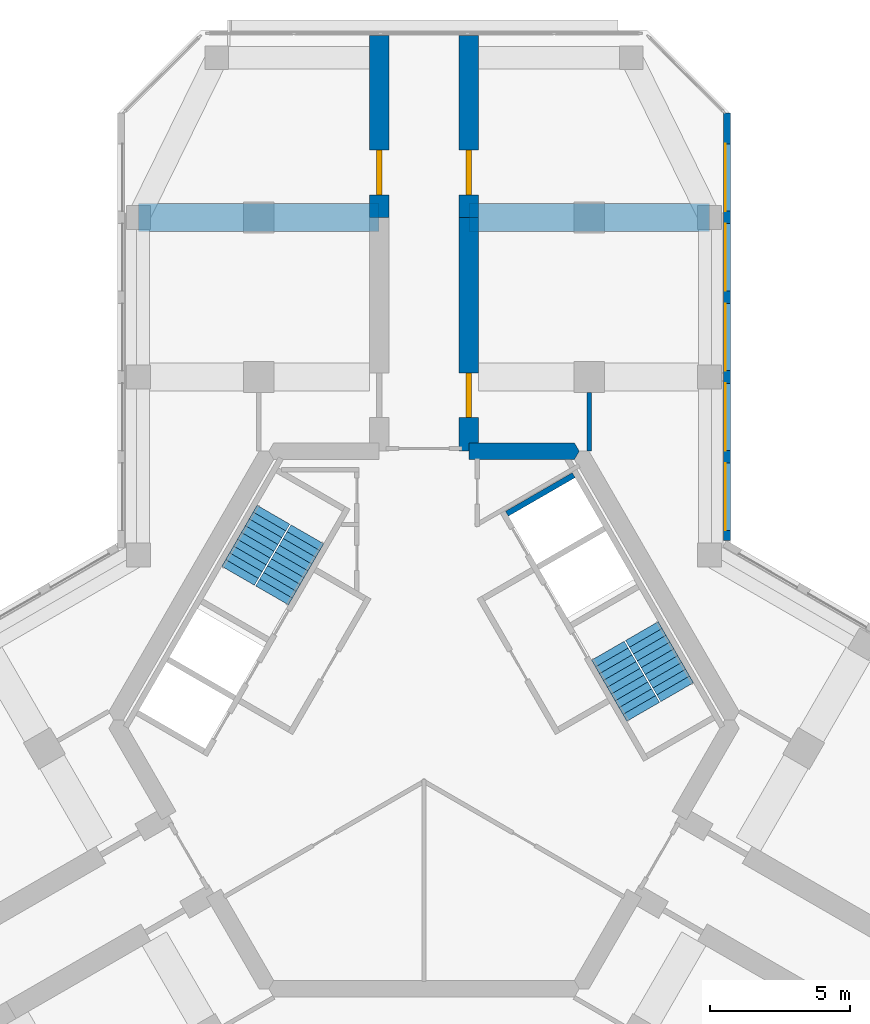
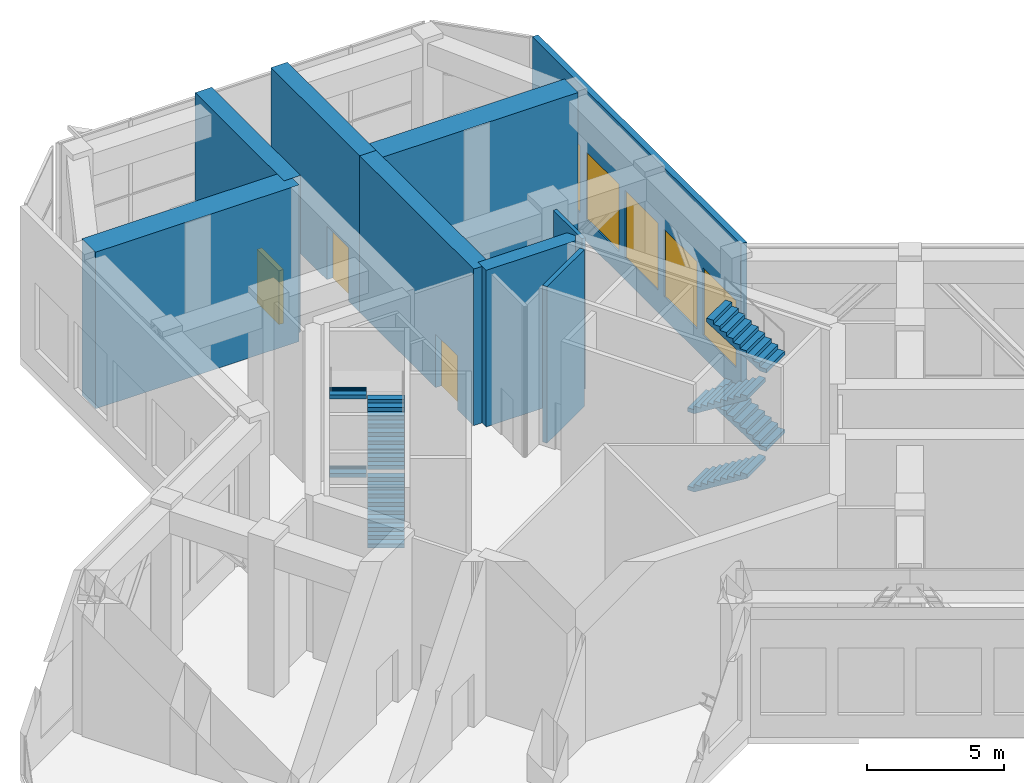
# One storey, part 11 of 12: 9 walls, 8 stair flights, 5 windows, 3 doors, 8 openings, 2 elements without a shape of their own.
"""IFC4 building model written with IfcOpenShell, lengths in metres."""

from ifc_helpers import new_model, si_unit, direction, frame, frame_2d, origin, place, context, subcontext, project, spatial, polyline, rectangle, outline, extrude, material, layer, layer_set, type_object, element, fill, aggregate, save


model = new_model("IFC4")

# Units and contexts
model_context = context("Model", 3, precision=1e-05, world=origin(), true_north=direction((0.0, 1.0)))
body_context = subcontext(model_context, "Body", "Model", "MODEL_VIEW")
ifc_project = project(units=[si_unit("LENGTHUNIT", "METRE"), si_unit("AREAUNIT", "SQUARE_METRE"), si_unit("VOLUMEUNIT", "CUBIC_METRE"), si_unit("PLANEANGLEUNIT", "RADIAN"), si_unit("MASSUNIT", "GRAM", prefix="KILO")], contexts=[model_context])

# Site, building, storey
site_placement = place(None, origin())
site = spatial("IfcSite", under=ifc_project, at=site_placement, CompositionType="ELEMENT")
building_placement = place(site_placement, origin())
building = spatial("IfcBuilding", under=site, at=building_placement, Name="Kosmar Iwan School Tower", CompositionType="ELEMENT")
storey_placement = place(building_placement, frame((0.0, 0.0, 260.39990234375)))
storey = spatial("IfcBuildingStorey", under=building, at=storey_placement, Name="L66", CompositionType="ELEMENT", Elevation=260.39990234375)

# Wall
ifc_material_1 = material(Name="Concrete C50/60", Category="concrete")
ifc_layer_1 = layer(ifc_material_1, 0.60009765625)
ifc_layer_set_1 = layer_set([ifc_layer_1], Name="Core wall 600")
wall_type_1 = type_object("IfcWallType", Name="Core wall 600", PredefinedType="SHEAR", material=ifc_layer_set_1)
wall_1_placement = place(storey_placement, origin())
element("IfcWall", 1, at=wall_1_placement, inside=storey, type_object=wall_type_1, Name="Core wall F090a", PredefinedType="SHEAR", context=body_context, shape_type="SweptSolid", body=[
    extrude(outline(polyline([(1.60009765625, 9.300048828125), (5.369384765625, 9.300048828125), (5.54248046875, 9.60009765625), (5.369384765625, 9.89990234375), (1.60009765625, 9.89990234375), (1.60009765625, 9.300048828125)])), origin(), (0.0, 0.0, 1.0), 7.0),
])

# Wall, opening, door
ifc_material_2 = material(Name="Concrete C50/60", Category="concrete")
ifc_layer_2 = layer(ifc_material_2, 0.699951171875)
ifc_layer_set_2 = layer_set([ifc_layer_2], Name="Corridor buttress wall 700")
wall_type_2 = type_object("IfcWallType", Name="Corridor buttress wall 700", PredefinedType="SHEAR", material=ifc_layer_set_2)
wall_2_placement = place(storey_placement, frame((-1.60009765625, 17.949951171875, 0.0), z_axis=(0.0, 0.0, 1.0), x_axis=(0.0, 1.0, 0.0)))
wall_2 = element("IfcWall", 2, at=wall_2_placement, inside=storey, type_object=wall_type_2, Name="Corridor wall AL bay 2", PredefinedType="SHEAR", context=body_context, shape_type="SweptSolid", body=[
    extrude(rectangle(XDim=6.4951171875, YDim=0.699951171875, at=frame_2d((3.24755859375, 0.0))), origin(), (0.0, 0.0, 1.0), 7.0),
])
opening_1_placement = place(wall_2_placement, frame((0.800048828125, 0.0, 0.0)))
opening_1 = element("IfcOpeningElement", 3, at=opening_1_placement, cuts=wall_2, Name="Opening D5", PredefinedType="OPENING", context=body_context, shape_type="SweptSolid", body=[
    extrude(rectangle(XDim=1.60009765625, YDim=2.39990234375, at=frame_2d((0.800048828125, 1.199951171875))), frame((0.0, 0.362060546875, 0.0), z_axis=(0.0, -1.0, 0.0), x_axis=(1.0, 0.0, 0.0)), (0.0, 0.0, 1.0), 0.723876953125),
])
ifc_material_3 = material(Name="Steel fire door", Category="steel")
door_type = type_object("IfcDoorType", Name="Plant room door pair 1600x2400", OperationType="DOUBLE_DOOR_SINGLE_SWING", PredefinedType="DOOR", material=ifc_material_3)
door_1_placement = place(opening_1_placement, origin())
door_1 = element("IfcDoor", 4, at=door_1_placement, inside=storey, type_object=door_type, Name="Lift machine room door L66-AL2", OperationType="DOUBLE_DOOR_SINGLE_SWING", OverallHeight=2.39990234375, OverallWidth=1.60009765625, PredefinedType="DOOR", context=body_context, shape_type="SweptSolid", body=[
    extrude(rectangle(XDim=1.60009765625, YDim=2.39990234375, at=frame_2d((0.800048828125, 1.199951171875))), frame((0.0, 0.10009765625, 0.0), z_axis=(0.0, -1.0, 0.0), x_axis=(1.0, 0.0, 0.0)), (0.0, 0.0, 1.0), 0.199951171875),
])
fill(opening_1, door_1)

wall_3_placement = place(storey_placement, frame((1.60009765625, 9.60009765625, 0.0), z_axis=(0.0, 0.0, 1.0), x_axis=(0.0, 1.0, 0.0)))
wall_3 = element("IfcWall", 5, at=wall_3_placement, inside=storey, type_object=wall_type_2, Name="Corridor wall AR", PredefinedType="SHEAR", context=body_context, shape_type="SweptSolid", body=[
    extrude(rectangle(XDim=8.349853515625, YDim=0.699951171875, at=frame_2d((4.1748046875, 0.0))), origin(), (0.0, 0.0, 1.0), 7.0),
])
opening_2_placement = place(wall_3_placement, frame((1.199951171875, 0.0, 0.0)))
opening_2 = element("IfcOpeningElement", 6, at=opening_2_placement, cuts=wall_3, Name="Opening D5", PredefinedType="OPENING", context=body_context, shape_type="SweptSolid", body=[
    extrude(rectangle(XDim=1.60009765625, YDim=2.39990234375, at=frame_2d((0.800048828125, 1.199951171875))), frame((0.0, 0.362060546875, 0.0), z_axis=(0.0, -1.0, 0.0), x_axis=(1.0, 0.0, 0.0)), (0.0, 0.0, 1.0), 0.723876953125),
])
door_2_placement = place(opening_2_placement, origin())
door_2 = element("IfcDoor", 7, at=door_2_placement, inside=storey, type_object=door_type, Name="Refuge area door L66-AR1", OperationType="DOUBLE_DOOR_SINGLE_SWING", OverallHeight=2.39990234375, OverallWidth=1.60009765625, PredefinedType="DOOR", context=body_context, shape_type="SweptSolid", body=[
    extrude(rectangle(XDim=1.60009765625, YDim=2.39990234375, at=frame_2d((0.800048828125, 1.199951171875))), frame((0.0, 0.10009765625, 0.0), z_axis=(0.0, -1.0, 0.0), x_axis=(1.0, 0.0, 0.0)), (0.0, 0.0, 1.0), 0.199951171875),
])
fill(opening_2, door_2)

wall_4_placement = place(storey_placement, frame((1.60009765625, 17.949951171875, 0.0), z_axis=(0.0, 0.0, 1.0), x_axis=(0.0, 1.0, 0.0)))
wall_4 = element("IfcWall", 8, at=wall_4_placement, inside=storey, type_object=wall_type_2, Name="Corridor wall AR bay 2", PredefinedType="SHEAR", context=body_context, shape_type="SweptSolid", body=[
    extrude(rectangle(XDim=6.4951171875, YDim=0.699951171875, at=frame_2d((3.24755859375, 0.0))), origin(), (0.0, 0.0, 1.0), 7.0),
])
opening_3_placement = place(wall_4_placement, frame((0.800048828125, 0.0, 0.0)))
opening_3 = element("IfcOpeningElement", 9, at=opening_3_placement, cuts=wall_4, Name="Opening D5", PredefinedType="OPENING", context=body_context, shape_type="SweptSolid", body=[
    extrude(rectangle(XDim=1.60009765625, YDim=2.39990234375, at=frame_2d((0.800048828125, 1.199951171875))), frame((0.0, 0.362060546875, 0.0), z_axis=(0.0, -1.0, 0.0), x_axis=(1.0, 0.0, 0.0)), (0.0, 0.0, 1.0), 0.723876953125),
])
door_3_placement = place(opening_3_placement, origin())
door_3 = element("IfcDoor", 10, at=door_3_placement, inside=storey, type_object=door_type, Name="Lift machine room door L66-AR2", OperationType="DOUBLE_DOOR_SINGLE_SWING", OverallHeight=2.39990234375, OverallWidth=1.60009765625, PredefinedType="DOOR", context=body_context, shape_type="SweptSolid", body=[
    extrude(rectangle(XDim=1.60009765625, YDim=2.39990234375, at=frame_2d((0.800048828125, 1.199951171875))), frame((0.0, 0.10009765625, 0.0), z_axis=(0.0, -1.0, 0.0), x_axis=(1.0, 0.0, 0.0)), (0.0, 0.0, 1.0), 0.199951171875),
])
fill(opening_3, door_3)

# Wall, openings, windows
ifc_material_4 = material(Name="Black aluminium rainscreen on insulated framing", Category="aluminium")
ifc_layer_3 = layer(ifc_material_4, 0.25)
ifc_layer_set_3 = layer_set([ifc_layer_3], Name="External wall rainscreen 250")
wall_type_3 = type_object("IfcWallType", Name="External wall rainscreen 250", PredefinedType="SOLIDWALL", material=ifc_layer_set_3)
wall_5_placement = place(storey_placement, frame((10.824951171875, 6.408935546875, 0.0), z_axis=(0.0, 0.0, 1.0), x_axis=(0.0, 1.0, 0.0)))
wall_5 = element("IfcWall", 11, at=wall_5_placement, inside=storey, type_object=wall_type_3, Name="External wall AR L66", PredefinedType="SOLIDWALL", context=body_context, shape_type="SweptSolid", body=[
    extrude(rectangle(XDim=15.2763671875, YDim=0.25, at=frame_2d((7.63818359375, 0.0))), origin(), (0.0, 0.0, 1.0), 6.75),
])
opening_4_placement = place(wall_5_placement, frame((0.365966796875, 0.0, 1.0)))
opening_4 = element("IfcOpeningElement", 12, at=opening_4_placement, cuts=wall_5, Name="Opening LV1", PredefinedType="OPENING", context=body_context, shape_type="SweptSolid", body=[
    extrude(rectangle(XDim=2.39990234375, YDim=3.0, at=frame_2d((1.199951171875, 1.5))), frame((0.0, 0.136962890625, 0.0), z_axis=(0.0, -1.0, 0.0), x_axis=(1.0, 0.0, 0.0)), (0.0, 0.0, 1.0), 0.27392578125),
])
opening_5_placement = place(wall_5_placement, frame((3.216064453125, 0.0, 1.0)))
opening_5 = element("IfcOpeningElement", 13, at=opening_5_placement, cuts=wall_5, Name="Opening LV1", PredefinedType="OPENING", context=body_context, shape_type="SweptSolid", body=[
    extrude(rectangle(XDim=2.39990234375, YDim=3.0, at=frame_2d((1.199951171875, 1.5))), frame((0.0, 0.136962890625, 0.0), z_axis=(0.0, -1.0, 0.0), x_axis=(1.0, 0.0, 0.0)), (0.0, 0.0, 1.0), 0.27392578125),
])
opening_6_placement = place(wall_5_placement, frame((6.06591796875, 0.0, 1.0)))
opening_6 = element("IfcOpeningElement", 14, at=opening_6_placement, cuts=wall_5, Name="Opening LV1", PredefinedType="OPENING", context=body_context, shape_type="SweptSolid", body=[
    extrude(rectangle(XDim=2.39990234375, YDim=3.0, at=frame_2d((1.199951171875, 1.5))), frame((0.0, 0.136962890625, 0.0), z_axis=(0.0, -1.0, 0.0), x_axis=(1.0, 0.0, 0.0)), (0.0, 0.0, 1.0), 0.27392578125),
])
opening_7_placement = place(wall_5_placement, frame((8.916015625, 0.0, 1.0)))
opening_7 = element("IfcOpeningElement", 15, at=opening_7_placement, cuts=wall_5, Name="Opening LV1", PredefinedType="OPENING", context=body_context, shape_type="SweptSolid", body=[
    extrude(rectangle(XDim=2.39990234375, YDim=3.0, at=frame_2d((1.199951171875, 1.5))), frame((0.0, 0.136962890625, 0.0), z_axis=(0.0, -1.0, 0.0), x_axis=(1.0, 0.0, 0.0)), (0.0, 0.0, 1.0), 0.27392578125),
])
opening_8_placement = place(wall_5_placement, frame((11.76611328125, 0.0, 1.0)))
opening_8 = element("IfcOpeningElement", 16, at=opening_8_placement, cuts=wall_5, Name="Opening LV1", PredefinedType="OPENING", context=body_context, shape_type="SweptSolid", body=[
    extrude(rectangle(XDim=2.39990234375, YDim=3.0, at=frame_2d((1.199951171875, 1.5))), frame((0.0, 0.136962890625, 0.0), z_axis=(0.0, -1.0, 0.0), x_axis=(1.0, 0.0, 0.0)), (0.0, 0.0, 1.0), 0.27392578125),
])
ifc_material_5 = material(Name="Black aluminium louvre", Category="aluminium")
window_type = type_object("IfcWindowType", Name="Plant louvre 2400x3000", PartitioningType="SINGLE_PANEL", PredefinedType="USERDEFINED", material=ifc_material_5)
window_1_placement = place(opening_4_placement, origin())
window_1 = element("IfcWindow", 17, at=window_1_placement, inside=storey, type_object=window_type, Name="Window AR L66 -1", ObjectType="LOUVRE", OverallHeight=3.0, OverallWidth=2.39990234375, PartitioningType="SINGLE_PANEL", PredefinedType="USERDEFINED", context=body_context, shape_type="SweptSolid", body=[
    extrude(rectangle(XDim=2.39990234375, YDim=3.0, at=frame_2d((1.199951171875, 1.5))), frame((0.0, 0.070068359375, 0.0), z_axis=(0.0, -1.0, 0.0), x_axis=(1.0, 0.0, 0.0)), (0.0, 0.0, 1.0), 0.02001953125),
])
fill(opening_4, window_1)
window_2_placement = place(opening_5_placement, origin())
window_2 = element("IfcWindow", 18, at=window_2_placement, inside=storey, type_object=window_type, Name="Window AR L66 0", ObjectType="LOUVRE", OverallHeight=3.0, OverallWidth=2.39990234375, PartitioningType="SINGLE_PANEL", PredefinedType="USERDEFINED", context=body_context, shape_type="SweptSolid", body=[
    extrude(rectangle(XDim=2.39990234375, YDim=3.0, at=frame_2d((1.199951171875, 1.5))), frame((0.0, 0.070068359375, 0.0), z_axis=(0.0, -1.0, 0.0), x_axis=(1.0, 0.0, 0.0)), (0.0, 0.0, 1.0), 0.02001953125),
])
fill(opening_5, window_2)
window_3_placement = place(opening_6_placement, origin())
window_3 = element("IfcWindow", 19, at=window_3_placement, inside=storey, type_object=window_type, Name="Window AR L66 1", ObjectType="LOUVRE", OverallHeight=3.0, OverallWidth=2.39990234375, PartitioningType="SINGLE_PANEL", PredefinedType="USERDEFINED", context=body_context, shape_type="SweptSolid", body=[
    extrude(rectangle(XDim=2.39990234375, YDim=3.0, at=frame_2d((1.199951171875, 1.5))), frame((0.0, 0.070068359375, 0.0), z_axis=(0.0, -1.0, 0.0), x_axis=(1.0, 0.0, 0.0)), (0.0, 0.0, 1.0), 0.02001953125),
])
fill(opening_6, window_3)
window_4_placement = place(opening_7_placement, origin())
window_4 = element("IfcWindow", 20, at=window_4_placement, inside=storey, type_object=window_type, Name="Window AR L66 2", ObjectType="LOUVRE", OverallHeight=3.0, OverallWidth=2.39990234375, PartitioningType="SINGLE_PANEL", PredefinedType="USERDEFINED", context=body_context, shape_type="SweptSolid", body=[
    extrude(rectangle(XDim=2.39990234375, YDim=3.0, at=frame_2d((1.199951171875, 1.5))), frame((0.0, 0.070068359375, 0.0), z_axis=(0.0, -1.0, 0.0), x_axis=(1.0, 0.0, 0.0)), (0.0, 0.0, 1.0), 0.02001953125),
])
fill(opening_7, window_4)
window_5_placement = place(opening_8_placement, origin())
window_5 = element("IfcWindow", 21, at=window_5_placement, inside=storey, type_object=window_type, Name="Window AR L66 3", ObjectType="LOUVRE", OverallHeight=3.0, OverallWidth=2.39990234375, PartitioningType="SINGLE_PANEL", PredefinedType="USERDEFINED", context=body_context, shape_type="SweptSolid", body=[
    extrude(rectangle(XDim=2.39990234375, YDim=3.0, at=frame_2d((1.199951171875, 1.5))), frame((0.0, 0.070068359375, 0.0), z_axis=(0.0, -1.0, 0.0), x_axis=(1.0, 0.0, 0.0)), (0.0, 0.0, 1.0), 0.02001953125),
])
fill(opening_8, window_5)

# Walls
ifc_material_6 = material(Name="Concrete C50/60", Category="concrete")
ifc_layer_4 = layer(ifc_material_6, 0.199951171875)
ifc_layer_set_4 = layer_set([ifc_layer_4], Name="Lift shaft wall 200")
wall_type_4 = type_object("IfcWallType", Name="Lift shaft wall 200", PredefinedType="SHEAR", material=ifc_layer_set_4)
wall_6_placement = place(storey_placement, frame((2.962646484375, 7.368408203125, 0.0), z_axis=(0.0, 0.0, 1.0), x_axis=(0.866027397988, 0.499996545922, 0.0)))
element("IfcWall", 22, at=wall_6_placement, inside=storey, type_object=wall_type_4, Name="Lift shaft wall AC 2", PredefinedType="SHEAR", context=body_context, shape_type="SweptSolid", body=[
    extrude(rectangle(XDim=2.75, YDim=0.199951171875, at=frame_2d((1.375, 0.0))), origin(), (0.0, 0.0, 1.0), 7.0),
])
ifc_material_7 = material(Name="Concrete C50/60", Category="concrete")
ifc_layer_5 = layer(ifc_material_7, 1.0)
ifc_layer_set_5 = layer_set([ifc_layer_5], Name="Outrigger wall 1000")
wall_type_5 = type_object("IfcWallType", Name="Outrigger wall 1000", PredefinedType="SHEAR", material=ifc_layer_set_5)
for number, where, z_axis, x_axis, name in (
    (23, (-1.60009765625, 17.949951171875, 0.0), (0.0, 0.0, 1.0), (-1.0, 0.0, 0.0), "Outrigger wall AL"),
    (24, (1.60009765625, 17.949951171875, 0.0), (0.0, 0.0, 1.0), (1.0, 0.0, 0.0), "Outrigger wall AR"),
):
    element("IfcWall", number, at=place(storey_placement, frame(where, z_axis=z_axis, x_axis=x_axis)), inside=storey, type_object=wall_type_5, Name=name, PredefinedType="SHEAR", context=body_context, shape_type="SweptSolid", body=[
        extrude(rectangle(XDim=8.599853515625, YDim=1.0, at=frame_2d((4.2998046875, 0.0))), origin(), (0.0, 0.0, 1.0), 7.0),
    ])
ifc_material_8 = material(Name="Gypsum board on steel studs", Category="steel")
ifc_layer_6 = layer(ifc_material_8, 0.14990234375)
ifc_layer_set_6 = layer_set([ifc_layer_6], Name="School partition 150")
wall_type_6 = type_object("IfcWallType", Name="School partition 150", PredefinedType="PARTITIONING", material=ifc_layer_set_6)
wall_7_placement = place(storey_placement, frame((5.89990234375, 9.60009765625, 0.0), z_axis=(0.0, 0.0, 1.0), x_axis=(0.0, 1.0, 0.0)))
element("IfcWall", 25, at=wall_7_placement, inside=storey, type_object=wall_type_6, Name="Partition L66-AR-NB", PredefinedType="PARTITIONING", context=body_context, shape_type="SweptSolid", body=[
    extrude(rectangle(XDim=2.099853515625, YDim=0.14990234375, at=frame_2d((1.0498046875, 0.0))), origin(), (0.0, 0.0, 1.0), 6.75),
])

# Stair, stair flights
ifc_material_9 = material(Name="Concrete C35/45", Category="concrete")
stair_type = type_object("IfcStairType", Name="Core stair 2750", PredefinedType="HALF_TURN_STAIR", material=ifc_material_9)
stair_1_placement = place(storey_placement, origin())
stair_1 = element("IfcStair", 26, at=stair_1_placement, inside=storey, type_object=stair_type, Name="Stair ST2 L66", PredefinedType="HALF_TURN_STAIR")
ifc_material_10 = material(Name="Concrete C35/45", Category="concrete")
stair_flight_type = type_object("IfcStairFlightType", Name="Stair flight 1350", PredefinedType="STRAIGHT", material=ifc_material_10)
stair_flight_1_placement = place(storey_placement, frame((-5.42724609375, 4.44970703125, 0.0), z_axis=(0.0, 0.0, 1.0), x_axis=(0.5, 0.866025403784, 0.0)))
stair_flight_1 = element("IfcStairFlight", 27, at=stair_flight_1_placement, type_object=stair_flight_type, Name="ST2 flight 1", NumberOfRisers=10, NumberOfTreads=9, PredefinedType="STRAIGHT", RiserHeight=0.175, TreadLength=0.28, context=body_context, shape_type="SweptSolid", body=[
    extrude(outline(polyline([(0.0, 0.0), (0.0, 0.175048828125), (0.280029296875, 0.175048828125), (0.280029296875, 0.35009765625), (0.56005859375, 0.35009765625), (0.56005859375, 0.52490234375), (0.840087890625, 0.52490234375), (0.840087890625, 0.699951171875), (1.1201171875, 0.699951171875), (1.1201171875, 0.875), (1.39990234375, 0.875), (1.39990234375, 1.050048828125), (1.679931640625, 1.050048828125), (1.679931640625, 1.22509765625), (1.9599609375, 1.22509765625), (1.9599609375, 1.39990234375), (2.239990234375, 1.39990234375), (2.239990234375, 1.574951171875), (2.52001953125, 1.574951171875), (2.52001953125, 1.75), (2.52001953125, 1.398193359375), (0.28271484375, 0.0), (0.0, 0.0)])), frame((0.0, 0.675048828125, 0.0), z_axis=(0.0, -1.0, 0.0), x_axis=(1.0, 0.0, 0.0)), (0.0, 0.0, 1.0), 1.35009765625),
])
stair_flight_2_placement = place(storey_placement, frame((-5.379638671875, 7.33203125, 1.75), z_axis=(0.0, 0.0, 1.0), x_axis=(-0.5, -0.866025403784, 0.0)))
stair_flight_2 = element("IfcStairFlight", 28, at=stair_flight_2_placement, type_object=stair_flight_type, Name="ST2 flight 2", NumberOfRisers=10, NumberOfTreads=9, PredefinedType="STRAIGHT", RiserHeight=0.175, TreadLength=0.28, context=body_context, shape_type="SweptSolid", body=[
    extrude(outline(polyline([(0.0, 0.0), (0.0, 0.175048828125), (0.280029296875, 0.175048828125), (0.280029296875, 0.35009765625), (0.56005859375, 0.35009765625), (0.56005859375, 0.52490234375), (0.840087890625, 0.52490234375), (0.840087890625, 0.699951171875), (1.1201171875, 0.699951171875), (1.1201171875, 0.875), (1.39990234375, 0.875), (1.39990234375, 1.050048828125), (1.679931640625, 1.050048828125), (1.679931640625, 1.22509765625), (1.9599609375, 1.22509765625), (1.9599609375, 1.39990234375), (2.239990234375, 1.39990234375), (2.239990234375, 1.574951171875), (2.52001953125, 1.574951171875), (2.52001953125, 1.75), (2.52001953125, 1.398193359375), (0.28271484375, 0.0), (0.0, 0.0)])), frame((0.0, 0.675048828125, 0.0), z_axis=(0.0, -1.0, 0.0), x_axis=(1.0, 0.0, 0.0)), (0.0, 0.0, 1.0), 1.35009765625),
])
stair_flight_3_placement = place(storey_placement, frame((-5.42724609375, 4.44970703125, 3.5), z_axis=(0.0, 0.0, 1.0), x_axis=(0.5, 0.866025403784, 0.0)))
stair_flight_3 = element("IfcStairFlight", 29, at=stair_flight_3_placement, type_object=stair_flight_type, Name="ST2 flight 3", NumberOfRisers=10, NumberOfTreads=9, PredefinedType="STRAIGHT", RiserHeight=0.175, TreadLength=0.28, context=body_context, shape_type="SweptSolid", body=[
    extrude(outline(polyline([(0.0, 0.0), (0.0, 0.175048828125), (0.280029296875, 0.175048828125), (0.280029296875, 0.35009765625), (0.56005859375, 0.35009765625), (0.56005859375, 0.52490234375), (0.840087890625, 0.52490234375), (0.840087890625, 0.699951171875), (1.1201171875, 0.699951171875), (1.1201171875, 0.875), (1.39990234375, 0.875), (1.39990234375, 1.050048828125), (1.679931640625, 1.050048828125), (1.679931640625, 1.22509765625), (1.9599609375, 1.22509765625), (1.9599609375, 1.39990234375), (2.239990234375, 1.39990234375), (2.239990234375, 1.574951171875), (2.52001953125, 1.574951171875), (2.52001953125, 1.75), (2.52001953125, 1.398193359375), (0.28271484375, 0.0), (0.0, 0.0)])), frame((0.0, 0.675048828125, 0.0), z_axis=(0.0, -1.0, 0.0), x_axis=(1.0, 0.0, 0.0)), (0.0, 0.0, 1.0), 1.35009765625),
])
stair_flight_4_placement = place(storey_placement, frame((-5.379638671875, 7.33203125, 5.25), z_axis=(0.0, 0.0, 1.0), x_axis=(-0.5, -0.866025403784, 0.0)))
stair_flight_4 = element("IfcStairFlight", 30, at=stair_flight_4_placement, type_object=stair_flight_type, Name="ST2 flight 4", NumberOfRisers=10, NumberOfTreads=9, PredefinedType="STRAIGHT", RiserHeight=0.175, TreadLength=0.28, context=body_context, shape_type="SweptSolid", body=[
    extrude(outline(polyline([(0.0, 0.0), (0.0, 0.175048828125), (0.280029296875, 0.175048828125), (0.280029296875, 0.35009765625), (0.56005859375, 0.35009765625), (0.56005859375, 0.52490234375), (0.840087890625, 0.52490234375), (0.840087890625, 0.699951171875), (1.1201171875, 0.699951171875), (1.1201171875, 0.875), (1.39990234375, 0.875), (1.39990234375, 1.050048828125), (1.679931640625, 1.050048828125), (1.679931640625, 1.22509765625), (1.9599609375, 1.22509765625), (1.9599609375, 1.39990234375), (2.239990234375, 1.39990234375), (2.239990234375, 1.574951171875), (2.52001953125, 1.574951171875), (2.52001953125, 1.75), (2.52001953125, 1.398193359375), (0.28271484375, 0.0), (0.0, 0.0)])), frame((0.0, 0.675048828125, 0.0), z_axis=(0.0, -1.0, 0.0), x_axis=(1.0, 0.0, 0.0)), (0.0, 0.0, 1.0), 1.35009765625),
])
aggregate(stair_1, [stair_flight_1, stair_flight_2, stair_flight_3, stair_flight_4])

stair_2_placement = place(storey_placement, origin())
stair_2 = element("IfcStair", 31, at=stair_2_placement, inside=storey, type_object=stair_type, Name="Stair ST1 L66", PredefinedType="HALF_TURN_STAIR")
stair_flight_5_placement = place(storey_placement, frame((6.567138671875, 2.475341796875, 0.0), z_axis=(0.0, 0.0, 1.0), x_axis=(0.5, -0.866025403784, 0.0)))
stair_flight_5 = element("IfcStairFlight", 32, at=stair_flight_5_placement, type_object=stair_flight_type, Name="ST1 flight 1", NumberOfRisers=10, NumberOfTreads=9, PredefinedType="STRAIGHT", RiserHeight=0.175, TreadLength=0.28, context=body_context, shape_type="SweptSolid", body=[
    extrude(outline(polyline([(0.0, 0.0), (0.0, 0.175048828125), (0.280029296875, 0.175048828125), (0.280029296875, 0.35009765625), (0.56005859375, 0.35009765625), (0.56005859375, 0.52490234375), (0.840087890625, 0.52490234375), (0.840087890625, 0.699951171875), (1.1201171875, 0.699951171875), (1.1201171875, 0.875), (1.39990234375, 0.875), (1.39990234375, 1.050048828125), (1.679931640625, 1.050048828125), (1.679931640625, 1.22509765625), (1.9599609375, 1.22509765625), (1.9599609375, 1.39990234375), (2.239990234375, 1.39990234375), (2.239990234375, 1.574951171875), (2.52001953125, 1.574951171875), (2.52001953125, 1.75), (2.52001953125, 1.398193359375), (0.28271484375, 0.0), (0.0, 0.0)])), frame((0.0, 0.675048828125, 0.0), z_axis=(0.0, -1.0, 0.0), x_axis=(1.0, 0.0, 0.0)), (0.0, 0.0, 1.0), 1.35009765625),
])
stair_flight_6_placement = place(storey_placement, frame((9.03955078125, 0.992919921875, 1.75), z_axis=(0.0, 0.0, 1.0), x_axis=(-0.5, 0.866025403784, 0.0)))
stair_flight_6 = element("IfcStairFlight", 33, at=stair_flight_6_placement, type_object=stair_flight_type, Name="ST1 flight 2", NumberOfRisers=10, NumberOfTreads=9, PredefinedType="STRAIGHT", RiserHeight=0.175, TreadLength=0.28, context=body_context, shape_type="SweptSolid", body=[
    extrude(outline(polyline([(0.0, 0.0), (0.0, 0.175048828125), (0.280029296875, 0.175048828125), (0.280029296875, 0.35009765625), (0.56005859375, 0.35009765625), (0.56005859375, 0.52490234375), (0.840087890625, 0.52490234375), (0.840087890625, 0.699951171875), (1.1201171875, 0.699951171875), (1.1201171875, 0.875), (1.39990234375, 0.875), (1.39990234375, 1.050048828125), (1.679931640625, 1.050048828125), (1.679931640625, 1.22509765625), (1.9599609375, 1.22509765625), (1.9599609375, 1.39990234375), (2.239990234375, 1.39990234375), (2.239990234375, 1.574951171875), (2.52001953125, 1.574951171875), (2.52001953125, 1.75), (2.52001953125, 1.398193359375), (0.28271484375, 0.0), (0.0, 0.0)])), frame((0.0, 0.675048828125, 0.0), z_axis=(0.0, -1.0, 0.0), x_axis=(1.0, 0.0, 0.0)), (0.0, 0.0, 1.0), 1.35009765625),
])
stair_flight_7_placement = place(storey_placement, frame((6.567138671875, 2.475341796875, 3.5), z_axis=(0.0, 0.0, 1.0), x_axis=(0.5, -0.866025403784, 0.0)))
stair_flight_7 = element("IfcStairFlight", 34, at=stair_flight_7_placement, type_object=stair_flight_type, Name="ST1 flight 3", NumberOfRisers=10, NumberOfTreads=9, PredefinedType="STRAIGHT", RiserHeight=0.175, TreadLength=0.28, context=body_context, shape_type="SweptSolid", body=[
    extrude(outline(polyline([(0.0, 0.0), (0.0, 0.175048828125), (0.280029296875, 0.175048828125), (0.280029296875, 0.35009765625), (0.56005859375, 0.35009765625), (0.56005859375, 0.52490234375), (0.840087890625, 0.52490234375), (0.840087890625, 0.699951171875), (1.1201171875, 0.699951171875), (1.1201171875, 0.875), (1.39990234375, 0.875), (1.39990234375, 1.050048828125), (1.679931640625, 1.050048828125), (1.679931640625, 1.22509765625), (1.9599609375, 1.22509765625), (1.9599609375, 1.39990234375), (2.239990234375, 1.39990234375), (2.239990234375, 1.574951171875), (2.52001953125, 1.574951171875), (2.52001953125, 1.75), (2.52001953125, 1.398193359375), (0.28271484375, 0.0), (0.0, 0.0)])), frame((0.0, 0.675048828125, 0.0), z_axis=(0.0, -1.0, 0.0), x_axis=(1.0, 0.0, 0.0)), (0.0, 0.0, 1.0), 1.35009765625),
])
stair_flight_8_placement = place(storey_placement, frame((9.03955078125, 0.992919921875, 5.25), z_axis=(0.0, 0.0, 1.0), x_axis=(-0.5, 0.866025403784, 0.0)))
stair_flight_8 = element("IfcStairFlight", 35, at=stair_flight_8_placement, type_object=stair_flight_type, Name="ST1 flight 4", NumberOfRisers=10, NumberOfTreads=9, PredefinedType="STRAIGHT", RiserHeight=0.175, TreadLength=0.28, context=body_context, shape_type="SweptSolid", body=[
    extrude(outline(polyline([(0.0, 0.0), (0.0, 0.175048828125), (0.280029296875, 0.175048828125), (0.280029296875, 0.35009765625), (0.56005859375, 0.35009765625), (0.56005859375, 0.52490234375), (0.840087890625, 0.52490234375), (0.840087890625, 0.699951171875), (1.1201171875, 0.699951171875), (1.1201171875, 0.875), (1.39990234375, 0.875), (1.39990234375, 1.050048828125), (1.679931640625, 1.050048828125), (1.679931640625, 1.22509765625), (1.9599609375, 1.22509765625), (1.9599609375, 1.39990234375), (2.239990234375, 1.39990234375), (2.239990234375, 1.574951171875), (2.52001953125, 1.574951171875), (2.52001953125, 1.75), (2.52001953125, 1.398193359375), (0.28271484375, 0.0), (0.0, 0.0)])), frame((0.0, 0.675048828125, 0.0), z_axis=(0.0, -1.0, 0.0), x_axis=(1.0, 0.0, 0.0)), (0.0, 0.0, 1.0), 1.35009765625),
])
aggregate(stair_2, [stair_flight_5, stair_flight_6, stair_flight_7, stair_flight_8])

save(model, "model.ifc")
